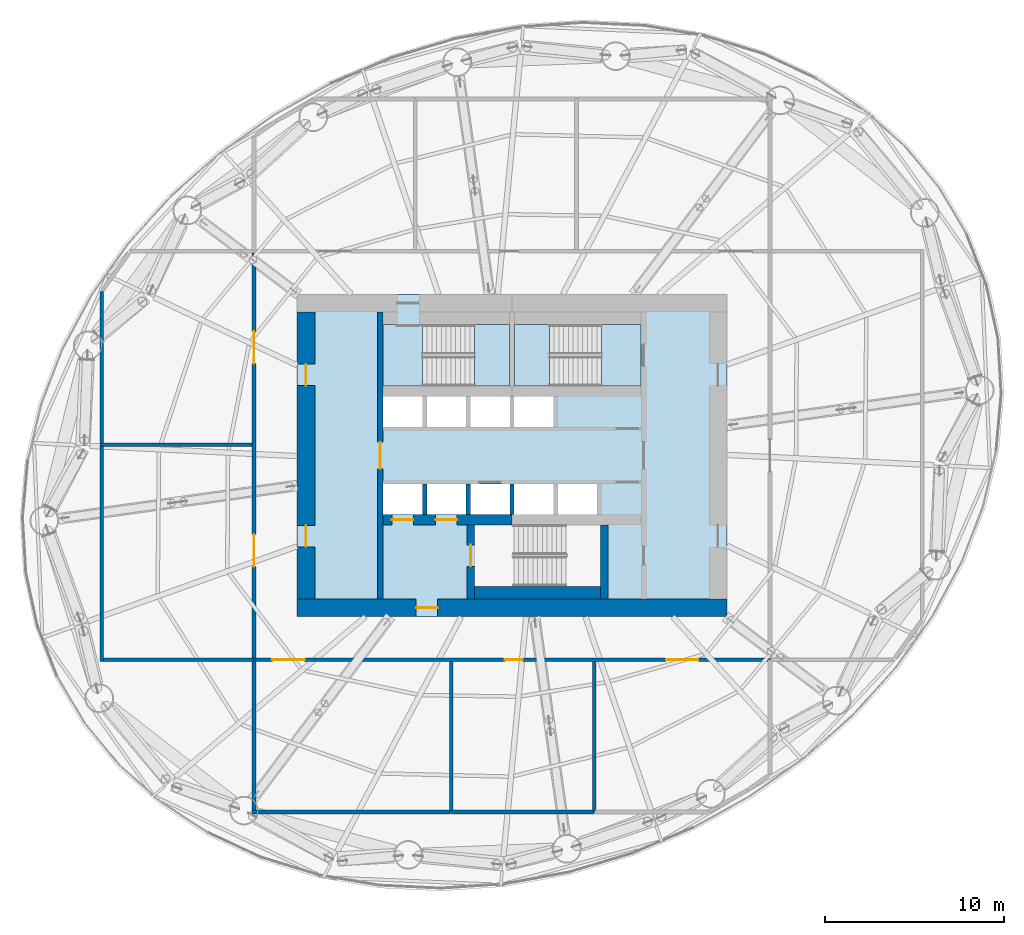
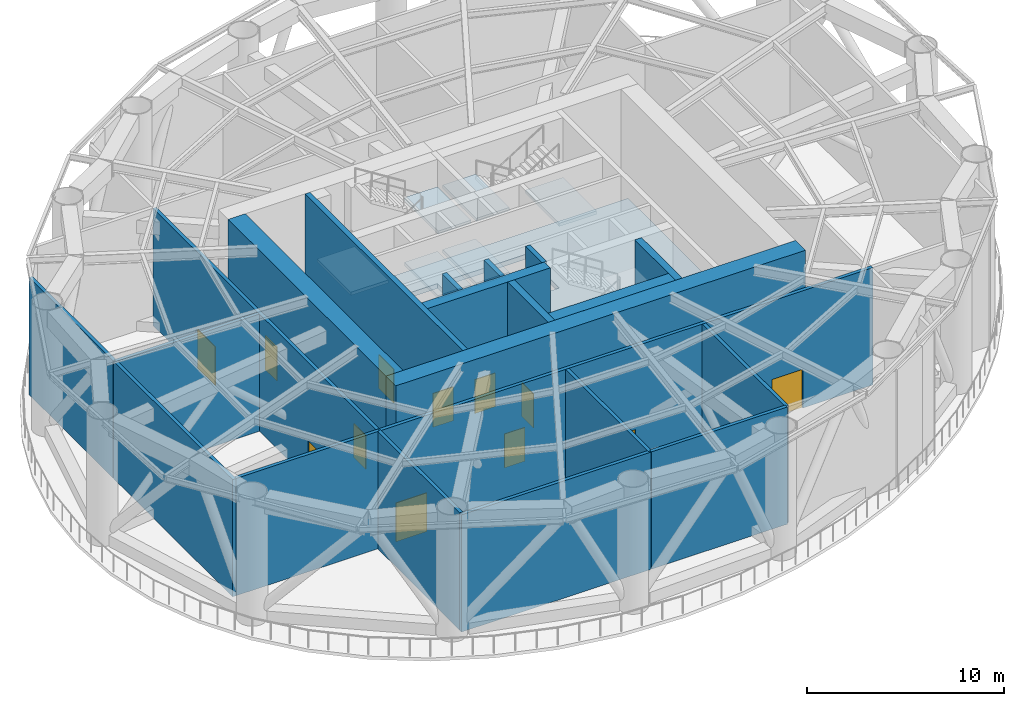
# One storey, part 5 of 15: 21 walls, 12 doors, 7 slabs, 12 openings, 2 elements without a shape of their own.
"""IFC4 building model written with IfcOpenShell, lengths in metres."""

from ifc_helpers import new_model, si_unit, direction, frame, frame_2d, origin, place, context, subcontext, project, spatial, polyline, rectangle, outline, extrude, material, layer, layer_set, type_object, element, fill, aggregate, save


model = new_model("IFC4")

# Units and contexts
model_context = context("Model", 3, precision=1e-05, world=origin(), true_north=direction((0.0, 1.0)))
body_context = subcontext(model_context, "Body", "Model", "MODEL_VIEW")
ifc_project = project(units=[si_unit("LENGTHUNIT", "METRE"), si_unit("AREAUNIT", "SQUARE_METRE"), si_unit("VOLUMEUNIT", "CUBIC_METRE"), si_unit("PLANEANGLEUNIT", "RADIAN"), si_unit("MASSUNIT", "GRAM", prefix="KILO")], contexts=[model_context])

# Site, building, storey
site_placement = place(None, origin())
site = spatial("IfcSite", under=ifc_project, at=site_placement, CompositionType="ELEMENT")
building_placement = place(site_placement, origin())
building = spatial("IfcBuilding", under=site, at=building_placement, Name="Vermilion Reach Broadcast Tower", CompositionType="ELEMENT")
storey_placement = place(building_placement, frame((0.0, 0.0, 135.39990234375)))
storey = spatial("IfcBuildingStorey", under=building, at=storey_placement, Name="L32", CompositionType="ELEMENT", Elevation=135.39990234375)

# Slab
ifc_material_1 = material(Name="Concrete C40", Category="concrete")
ifc_layer_1 = layer(ifc_material_1, 0.300048828125)
ifc_layer_set_1 = layer_set([ifc_layer_1], Name="Core floor slab 300 mm Concrete C40")
slab_type_1 = type_object("IfcSlabType", Name="Core floor slab 300 mm Concrete C40", PredefinedType="FLOOR", material=ifc_layer_set_1)
slab_1_placement = place(storey_placement, frame((0.0, 0.0, -0.2998046875)))
element("IfcSlab", 1, at=slab_1_placement, inside=storey, type_object=slab_type_1, Name="L32 core floor", PredefinedType="FLOOR", context=body_context, shape_type="SweptSolid", body=[
    extrude(outline(polyline([(-18.0, -9.0), (6.0, -9.0), (6.0, 9.0), (-18.0, 9.0), (-18.0, -9.0)]), holes=[polyline([(-13.199951171875, 1.60009765625), (-11.00830078125, 1.60009765625), (-11.00830078125, 3.280029296875), (-13.199951171875, 3.280029296875), (-13.199951171875, 1.60009765625)]), polyline([(-10.75830078125, 1.60009765625), (-8.566650390625, 1.60009765625), (-8.566650390625, 3.280029296875), (-10.75830078125, 3.280029296875), (-10.75830078125, 1.60009765625)]), polyline([(-8.316650390625, 1.60009765625), (-6.125, 1.60009765625), (-6.125, 3.280029296875), (-8.316650390625, 3.280029296875), (-8.316650390625, 1.60009765625)]), polyline([(-5.875, 1.60009765625), (-3.683349609375, 1.60009765625), (-3.683349609375, 3.280029296875), (-5.875, 3.280029296875), (-5.875, 1.60009765625)]), polyline([(-13.199951171875, -3.280029296875), (-11.00830078125, -3.280029296875), (-11.00830078125, -1.60009765625), (-13.199951171875, -1.60009765625), (-13.199951171875, -3.280029296875)]), polyline([(-10.75830078125, -3.280029296875), (-8.566650390625, -3.280029296875), (-8.566650390625, -1.60009765625), (-10.75830078125, -1.60009765625), (-10.75830078125, -3.280029296875)]), polyline([(-8.316650390625, -3.280029296875), (-6.125, -3.280029296875), (-6.125, -1.60009765625), (-8.316650390625, -1.60009765625), (-8.316650390625, -3.280029296875)]), polyline([(-5.875, -3.280029296875), (-3.683349609375, -3.280029296875), (-3.683349609375, -1.60009765625), (-5.875, -1.60009765625), (-5.875, -3.280029296875)]), polyline([(-3.433349609375, -3.280029296875), (-1.24169921875, -3.280029296875), (-1.24169921875, -1.60009765625), (-3.433349609375, -1.60009765625), (-3.433349609375, -3.280029296875)]), polyline([(-10.999267578125, 3.8798828125), (-6.14990234375, 3.8798828125), (-6.14990234375, 7.300048828125), (-10.999267578125, 7.300048828125), (-10.999267578125, 3.8798828125)]), polyline([(-1.000732421875, 7.300048828125), (-5.85009765625, 7.300048828125), (-5.85009765625, 3.8798828125), (-1.000732421875, 3.8798828125), (-1.000732421875, 7.300048828125)]), polyline([(-5.8994140625, -7.300048828125), (-1.050048828125, -7.300048828125), (-1.050048828125, -3.8798828125), (-5.8994140625, -3.8798828125), (-5.8994140625, -7.300048828125)])]), origin(), (0.0, 0.0, 1.0), 0.2998046875),
])

# Stair, slabs
ifc_material_2 = material(Name="Concrete C40", Category="concrete")
stair_type = type_object("IfcStairType", Name="Exit stair RC 48 risers 167 mm", PredefinedType="HALF_TURN_STAIR", material=ifc_material_2)
placement_1 = place(storey_placement, origin())
stair_1 = element("IfcStair", 2, at=placement_1, inside=storey, type_object=stair_type, Name="L32 Exit stair ST1", PredefinedType="HALF_TURN_STAIR")
ifc_material_3 = material(Name="Concrete C40", Category="concrete")
ifc_layer_2 = layer(ifc_material_3, 0.199951171875)
ifc_layer_set_2 = layer_set([ifc_layer_2], Name="Exit stair landing Concrete C40")
slab_type_2 = type_object("IfcSlabType", Name="Exit stair landing Concrete C40", PredefinedType="LANDING", material=ifc_layer_set_2)
placement_2 = place(storey_placement, frame((0.0, 0.0, 1.800048828125)))
slab_2 = element("IfcSlab", 3, at=placement_2, type_object=slab_type_2, Name="ST1 landing 1", PredefinedType="LANDING", context=body_context, shape_type="SweptSolid", body=[
    extrude(outline(polyline([(-8.0849609375, 3.8798828125), (-6.14990234375, 3.8798828125), (-6.14990234375, 7.300048828125), (-8.0849609375, 7.300048828125), (-8.0849609375, 3.8798828125)])), origin(), (0.0, 0.0, 1.0), 0.199951171875),
])
placement_3 = place(storey_placement, frame((0.0, 0.0, 3.800048828125)))
slab_3 = element("IfcSlab", 4, at=placement_3, type_object=slab_type_2, Name="ST1 landing 2", PredefinedType="LANDING", context=body_context, shape_type="SweptSolid", body=[
    extrude(outline(polyline([(-13.199951171875, 3.8798828125), (-11.0, 3.8798828125), (-11.0, 7.300048828125), (-13.199951171875, 7.300048828125), (-13.199951171875, 3.8798828125)])), origin(), (0.0, 0.0, 1.0), 0.199951171875),
])
placement_4 = place(storey_placement, frame((0.0, 0.0, 5.800048828125)))
slab_4 = element("IfcSlab", 5, at=placement_4, type_object=slab_type_2, Name="ST1 landing 3", PredefinedType="LANDING", context=body_context, shape_type="SweptSolid", body=[
    extrude(outline(polyline([(-8.0849609375, 3.8798828125), (-6.14990234375, 3.8798828125), (-6.14990234375, 7.300048828125), (-8.0849609375, 7.300048828125), (-8.0849609375, 3.8798828125)])), origin(), (0.0, 0.0, 1.0), 0.199951171875),
])
aggregate(stair_1, [slab_2, slab_3, slab_4])

stair_2 = element("IfcStair", 6, at=placement_1, inside=storey, type_object=stair_type, Name="L32 Exit stair ST2", PredefinedType="HALF_TURN_STAIR")
slab_5 = element("IfcSlab", 7, at=placement_2, type_object=slab_type_2, Name="ST2 landing 1", PredefinedType="LANDING", context=body_context, shape_type="SweptSolid", body=[
    extrude(outline(polyline([(-3.9150390625, 7.300048828125), (-5.85009765625, 7.300048828125), (-5.85009765625, 3.8798828125), (-3.9150390625, 3.8798828125), (-3.9150390625, 7.300048828125)])), origin(), (0.0, 0.0, 1.0), 0.199951171875),
])
slab_6 = element("IfcSlab", 8, at=placement_3, type_object=slab_type_2, Name="ST2 landing 2", PredefinedType="LANDING", context=body_context, shape_type="SweptSolid", body=[
    extrude(outline(polyline([(1.199951171875, 7.300048828125), (-1.0, 7.300048828125), (-1.0, 3.8798828125), (1.199951171875, 3.8798828125), (1.199951171875, 7.300048828125)])), origin(), (0.0, 0.0, 1.0), 0.199951171875),
])
slab_7 = element("IfcSlab", 9, at=placement_4, type_object=slab_type_2, Name="ST2 landing 3", PredefinedType="LANDING", context=body_context, shape_type="SweptSolid", body=[
    extrude(outline(polyline([(-3.9150390625, 7.300048828125), (-5.85009765625, 7.300048828125), (-5.85009765625, 3.8798828125), (-3.9150390625, 3.8798828125), (-3.9150390625, 7.300048828125)])), origin(), (0.0, 0.0, 1.0), 0.199951171875),
])
aggregate(stair_2, [slab_5, slab_6, slab_7])

# Wall, opening, door
ifc_material_4 = material(Name="Concrete C70", Category="concrete")
ifc_layer_3 = layer(ifc_material_4, 0.300048828125)
ifc_layer_set_3 = layer_set([ifc_layer_3], Name="Core inner wall 300 mm Concrete C70")
wall_type_1 = type_object("IfcWallType", Name="Core inner wall 300 mm Concrete C70", PredefinedType="SHEAR", material=ifc_layer_set_3)
wall_1_placement = place(storey_placement, frame((-13.35009765625, 8.0, 0.0), z_axis=(0.0, 0.0, 1.0), x_axis=(0.0, -1.0, 0.0)))
wall_1 = element("IfcWall", 10, at=wall_1_placement, inside=storey, type_object=wall_type_1, Name="L32 core wall ewW", PredefinedType="SHEAR", context=body_context, shape_type="SweptSolid", body=[
    extrude(rectangle(XDim=16.0, YDim=0.300048828125, at=frame_2d((8.0, 0.0))), origin(), (0.0, 0.0, 1.0), 7.7001953125),
])
opening_1_placement = place(wall_1_placement, frame((7.25, 0.0, 0.0)))
opening_1 = element("IfcOpeningElement", 11, at=opening_1_placement, cuts=wall_1, Name="Opening D04", PredefinedType="OPENING", context=body_context, shape_type="SweptSolid", body=[
    extrude(rectangle(XDim=1.5, YDim=2.10009765625, at=frame_2d((0.75, 1.050048828125))), frame((0.0, 0.159912109375, 0.0), z_axis=(0.0, -1.0, 0.0), x_axis=(1.0, 0.0, 0.0)), (0.0, 0.0, 1.0), 0.320068359375),
])
ifc_material_5 = material(Name="Painted steel fire door", Category="steel")
door_type_1 = type_object("IfcDoorType", Name="Lift lobby door 1500 x 2100", OperationType="DOUBLE_DOOR_SINGLE_SWING", PredefinedType="NOTDEFINED", material=ifc_material_5)
door_1_placement = place(opening_1_placement, origin())
door_1 = element("IfcDoor", 12, at=door_1_placement, inside=storey, type_object=door_type_1, Name="L32 band door BW", OperationType="DOUBLE_DOOR_SINGLE_SWING", OverallHeight=2.10009765625, OverallWidth=1.5, PredefinedType="NOTDEFINED", context=body_context, shape_type="SweptSolid", body=[
    extrude(rectangle(XDim=1.5, YDim=2.10009765625, at=frame_2d((0.75, 1.050048828125))), frame((0.0, 0.02490234375, 0.0), z_axis=(0.0, -1.0, 0.0), x_axis=(1.0, 0.0, 0.0)), (0.0, 0.0, 1.0), 0.050048828125),
])
fill(opening_1, door_1)

ifc_material_6 = material(Name="Concrete C70", Category="concrete")
ifc_layer_4 = layer(ifc_material_6, 0.39990234375)
ifc_layer_set_4 = layer_set([ifc_layer_4], Name="Core inner wall 400 mm Concrete C70")
wall_type_2 = type_object("IfcWallType", Name="Core inner wall 400 mm Concrete C70", PredefinedType="SHEAR", material=ifc_layer_set_4)
wall_2_placement = place(storey_placement, frame((-8.300048828125, -3.8798828125, 0.0), z_axis=(0.0, 0.0, 1.0), x_axis=(0.0, -1.0, 0.0)))
wall_2 = element("IfcWall", 13, at=wall_2_placement, inside=storey, type_object=wall_type_2, Name="L32 core wall wa", PredefinedType="SHEAR", context=body_context, shape_type="SweptSolid", body=[
    extrude(rectangle(XDim=4.1201171875, YDim=0.39990234375, at=frame_2d((2.06005859375, 0.0))), origin(), (0.0, 0.0, 1.0), 7.7001953125),
])
opening_2_placement = place(wall_2_placement, frame((1.110107421875, 0.0, 0.0)))
opening_2 = element("IfcOpeningElement", 14, at=opening_2_placement, cuts=wall_2, Name="Opening D01", PredefinedType="OPENING", context=body_context, shape_type="SweptSolid", body=[
    extrude(rectangle(XDim=1.199951171875, YDim=2.10009765625, at=frame_2d((0.60009765625, 1.050048828125))), frame((0.0, 0.2099609375, 0.0), z_axis=(0.0, -1.0, 0.0), x_axis=(1.0, 0.0, 0.0)), (0.0, 0.0, 1.0), 0.419921875),
])
ifc_material_7 = material(Name="Painted steel fire door", Category="steel")
door_type_2 = type_object("IfcDoorType", Name="Stair door 1200 x 2100", OperationType="DOUBLE_DOOR_SINGLE_SWING", PredefinedType="NOTDEFINED", material=ifc_material_7)
door_2_placement = place(opening_2_placement, origin())
door_2 = element("IfcDoor", 15, at=door_2_placement, inside=storey, type_object=door_type_2, Name="L32 stair door ST3", OperationType="DOUBLE_DOOR_SINGLE_SWING", OverallHeight=2.10009765625, OverallWidth=1.199951171875, PredefinedType="NOTDEFINED", context=body_context, shape_type="SweptSolid", body=[
    extrude(rectangle(XDim=1.199951171875, YDim=2.10009765625, at=frame_2d((0.60009765625, 1.050048828125))), frame((0.0, 0.02490234375, 0.0), z_axis=(0.0, -1.0, 0.0), x_axis=(1.0, 0.0, 0.0)), (0.0, 0.0, 1.0), 0.050048828125),
])
fill(opening_2, door_2)

# Wall
wall_3_placement = place(storey_placement, frame((-0.85009765625, -3.8798828125, 0.0), z_axis=(0.0, 0.0, 1.0), x_axis=(0.0, -1.0, 0.0)))
element("IfcWall", 16, at=wall_3_placement, inside=storey, type_object=wall_type_2, Name="L32 core wall wb", PredefinedType="SHEAR", context=body_context, shape_type="SweptSolid", body=[
    extrude(rectangle(XDim=4.1201171875, YDim=0.39990234375, at=frame_2d((2.06005859375, 0.0))), origin(), (0.0, 0.0, 1.0), 7.7001953125),
])

# Wall, openings, doors
ifc_material_8 = material(Name="Concrete C70", Category="concrete")
ifc_layer_5 = layer(ifc_material_8, 0.60009765625)
ifc_layer_set_5 = layer_set([ifc_layer_5], Name="Core inner wall 600 mm Concrete C70")
wall_type_3 = type_object("IfcWallType", Name="Core inner wall 600 mm Concrete C70", PredefinedType="SHEAR", material=ifc_layer_set_5)
wall_4_placement = place(storey_placement, frame((-13.199951171875, -3.580078125, 0.0), z_axis=(0.0, 0.0, 1.0), x_axis=(1.0, 0.0, 0.0)))
wall_4 = element("IfcWall", 17, at=wall_4_placement, inside=storey, type_object=wall_type_3, Name="L32 core wall wisW", PredefinedType="SHEAR", context=body_context, shape_type="SweptSolid", body=[
    extrude(rectangle(XDim=7.199951171875, YDim=0.60009765625, at=frame_2d((3.60009765625, 0.0))), origin(), (0.0, 0.0, 1.0), 7.7001953125),
])
opening_3_placement = place(wall_4_placement, frame((0.495849609375, 0.0, 0.0)))
opening_3 = element("IfcOpeningElement", 18, at=opening_3_placement, cuts=wall_4, Name="Opening LD1", PredefinedType="OPENING", context=body_context, shape_type="SweptSolid", body=[
    extrude(rectangle(XDim=1.199951171875, YDim=2.10009765625, at=frame_2d((0.60009765625, 1.050048828125))), frame((0.0, 0.31005859375, 0.0), z_axis=(0.0, -1.0, 0.0), x_axis=(1.0, 0.0, 0.0)), (0.0, 0.0, 1.0), 0.6201171875),
])
opening_4_placement = place(wall_4_placement, frame((2.9375, 0.0, 0.0)))
opening_4 = element("IfcOpeningElement", 19, at=opening_4_placement, cuts=wall_4, Name="Opening LD1", PredefinedType="OPENING", context=body_context, shape_type="SweptSolid", body=[
    extrude(rectangle(XDim=1.199951171875, YDim=2.10009765625, at=frame_2d((0.60009765625, 1.050048828125))), frame((0.0, 0.31005859375, 0.0), z_axis=(0.0, -1.0, 0.0), x_axis=(1.0, 0.0, 0.0)), (0.0, 0.0, 1.0), 0.6201171875),
])
ifc_material_9 = material(Name="Stainless steel", Category="steel")
door_type_3 = type_object("IfcDoorType", Name="Landing door 1200 x 2100", OperationType="DOUBLE_DOOR_SLIDING", PredefinedType="NOTDEFINED", material=ifc_material_9)
door_3_placement = place(opening_3_placement, origin())
door_3 = element("IfcDoor", 20, at=door_3_placement, inside=storey, type_object=door_type_3, Name="L32 landing door FF1", OperationType="DOUBLE_DOOR_SLIDING", OverallHeight=2.10009765625, OverallWidth=1.199951171875, PredefinedType="NOTDEFINED", context=body_context, shape_type="SweptSolid", body=[
    extrude(rectangle(XDim=1.199951171875, YDim=2.10009765625, at=frame_2d((0.60009765625, 1.050048828125))), frame((0.0, 0.02490234375, 0.0), z_axis=(0.0, -1.0, 0.0), x_axis=(1.0, 0.0, 0.0)), (0.0, 0.0, 1.0), 0.050048828125),
])
fill(opening_3, door_3)
door_4_placement = place(opening_4_placement, origin())
door_4 = element("IfcDoor", 21, at=door_4_placement, inside=storey, type_object=door_type_3, Name="L32 landing door FF2", OperationType="DOUBLE_DOOR_SLIDING", OverallHeight=2.10009765625, OverallWidth=1.199951171875, PredefinedType="NOTDEFINED", context=body_context, shape_type="SweptSolid", body=[
    extrude(rectangle(XDim=1.199951171875, YDim=2.10009765625, at=frame_2d((0.60009765625, 1.050048828125))), frame((0.0, 0.02490234375, 0.0), z_axis=(0.0, -1.0, 0.0), x_axis=(1.0, 0.0, 0.0)), (0.0, 0.0, 1.0), 0.050048828125),
])
fill(opening_4, door_4)

# Wall, opening, door
ifc_material_10 = material(Name="Concrete C70", Category="concrete")
ifc_layer_6 = layer(ifc_material_10, 1.0)
ifc_layer_set_6 = layer_set([ifc_layer_6], Name="Core outer wall 1000 mm Concrete C70")
wall_type_4 = type_object("IfcWallType", Name="Core outer wall 1000 mm Concrete C70", PredefinedType="SHEAR", material=ifc_layer_set_6)
wall_5_placement = place(storey_placement, frame((-18.0, -8.5, 0.0), z_axis=(0.0, 0.0, 1.0), x_axis=(1.0, 0.0, 0.0)))
wall_5 = element("IfcWall", 22, at=wall_5_placement, inside=storey, type_object=wall_type_4, Name="L32 core wall os", PredefinedType="SHEAR", context=body_context, shape_type="SweptSolid", body=[
    extrude(rectangle(XDim=24.0, YDim=1.0, at=frame_2d((12.0, 0.0))), origin(), (0.0, 0.0, 1.0), 7.7001953125),
])
opening_5_placement = place(wall_5_placement, frame((6.64990234375, 0.0, 0.0)))
opening_5 = element("IfcOpeningElement", 23, at=opening_5_placement, cuts=wall_5, Name="Opening D02", PredefinedType="OPENING", context=body_context, shape_type="SweptSolid", body=[
    extrude(rectangle(XDim=1.199951171875, YDim=2.10009765625, at=frame_2d((0.60009765625, 1.050048828125))), frame((0.0, 0.510009765625, 0.0), z_axis=(0.0, -1.0, 0.0), x_axis=(1.0, 0.0, 0.0)), (0.0, 0.0, 1.0), 1.02001953125),
])
ifc_material_11 = material(Name="Painted steel fire door", Category="steel")
door_type_4 = type_object("IfcDoorType", Name="Firefighting lobby door 1200 x 2100", OperationType="DOUBLE_DOOR_SINGLE_SWING", PredefinedType="NOTDEFINED", material=ifc_material_11)
door_5_placement = place(opening_5_placement, origin())
door_5 = element("IfcDoor", 24, at=door_5_placement, inside=storey, type_object=door_type_4, Name="L32 ffdoor door FFL", OperationType="DOUBLE_DOOR_SINGLE_SWING", OverallHeight=2.10009765625, OverallWidth=1.199951171875, PredefinedType="NOTDEFINED", context=body_context, shape_type="SweptSolid", body=[
    extrude(rectangle(XDim=1.199951171875, YDim=2.10009765625, at=frame_2d((0.60009765625, 1.050048828125))), frame((0.0, 0.02490234375, 0.0), z_axis=(0.0, -1.0, 0.0), x_axis=(1.0, 0.0, 0.0)), (0.0, 0.0, 1.0), 0.050048828125),
])
fill(opening_5, door_5)

# Wall, openings, doors
wall_6_placement = place(storey_placement, frame((-17.5, 8.0, 0.0), z_axis=(0.0, 0.0, 1.0), x_axis=(0.0, -1.0, 0.0)))
wall_6 = element("IfcWall", 25, at=wall_6_placement, inside=storey, type_object=wall_type_4, Name="L32 core wall ow", PredefinedType="SHEAR", context=body_context, shape_type="SweptSolid", body=[
    extrude(rectangle(XDim=16.0, YDim=1.0, at=frame_2d((8.0, 0.0))), origin(), (0.0, 0.0, 1.0), 7.7001953125),
])
opening_6_placement = place(wall_6_placement, frame((11.89990234375, 0.0, 0.0)))
opening_6 = element("IfcOpeningElement", 26, at=opening_6_placement, cuts=wall_6, Name="Opening D03", PredefinedType="OPENING", context=body_context, shape_type="SweptSolid", body=[
    extrude(rectangle(XDim=1.199951171875, YDim=2.10009765625, at=frame_2d((0.60009765625, 1.050048828125))), frame((0.0, 0.510009765625, 0.0), z_axis=(0.0, -1.0, 0.0), x_axis=(1.0, 0.0, 0.0)), (0.0, 0.0, 1.0), 1.02001953125),
])
opening_7_placement = place(wall_6_placement, frame((2.89990234375, 0.0, 0.0)))
opening_7 = element("IfcOpeningElement", 27, at=opening_7_placement, cuts=wall_6, Name="Opening D03", PredefinedType="OPENING", context=body_context, shape_type="SweptSolid", body=[
    extrude(rectangle(XDim=1.199951171875, YDim=2.10009765625, at=frame_2d((0.60009765625, 1.050048828125))), frame((0.0, 0.510009765625, 0.0), z_axis=(0.0, -1.0, 0.0), x_axis=(1.0, 0.0, 0.0)), (0.0, 0.0, 1.0), 1.02001953125),
])
ifc_material_12 = material(Name="Painted steel fire door", Category="steel")
door_type_5 = type_object("IfcDoorType", Name="Core lobby door 1200 x 2100", OperationType="DOUBLE_DOOR_SINGLE_SWING", PredefinedType="NOTDEFINED", material=ifc_material_12)
door_6_placement = place(opening_6_placement, origin())
door_6 = element("IfcDoor", 28, at=door_6_placement, inside=storey, type_object=door_type_5, Name="L32 slot door W0", OperationType="DOUBLE_DOOR_SINGLE_SWING", OverallHeight=2.10009765625, OverallWidth=1.199951171875, PredefinedType="NOTDEFINED", context=body_context, shape_type="SweptSolid", body=[
    extrude(rectangle(XDim=1.199951171875, YDim=2.10009765625, at=frame_2d((0.60009765625, 1.050048828125))), frame((0.0, 0.02490234375, 0.0), z_axis=(0.0, -1.0, 0.0), x_axis=(1.0, 0.0, 0.0)), (0.0, 0.0, 1.0), 0.050048828125),
])
fill(opening_6, door_6)
door_7_placement = place(opening_7_placement, origin())
door_7 = element("IfcDoor", 29, at=door_7_placement, inside=storey, type_object=door_type_5, Name="L32 slot door W1", OperationType="DOUBLE_DOOR_SINGLE_SWING", OverallHeight=2.10009765625, OverallWidth=1.199951171875, PredefinedType="NOTDEFINED", context=body_context, shape_type="SweptSolid", body=[
    extrude(rectangle(XDim=1.199951171875, YDim=2.10009765625, at=frame_2d((0.60009765625, 1.050048828125))), frame((0.0, 0.02490234375, 0.0), z_axis=(0.0, -1.0, 0.0), x_axis=(1.0, 0.0, 0.0)), (0.0, 0.0, 1.0), 0.050048828125),
])
fill(opening_7, door_7)

# Walls
ifc_material_13 = material(Name="Concrete C50", Category="concrete")
ifc_layer_7 = layer(ifc_material_13, 0.25)
ifc_layer_set_7 = layer_set([ifc_layer_7], Name="Core shaft wall 250 mm Concrete C50")
wall_type_5 = type_object("IfcWallType", Name="Core shaft wall 250 mm Concrete C50", PredefinedType="SHEAR", material=ifc_layer_set_7)
for number, where, z_axis, x_axis, name in (
    (30, (-10.88330078125, -1.60009765625, 0.0), (0.0, 0.0, 1.0), (0.0, -1.0, 0.0), "L32 core wall psS0"),
    (31, (-8.441650390625, -1.60009765625, 0.0), (0.0, 0.0, 1.0), (0.0, -1.0, 0.0), "L32 core wall psS1"),
    (32, (-6.0, -1.60009765625, 0.0), (0.0, 0.0, 1.0), (0.0, -1.0, 0.0), "L32 core wall psS2"),
):
    element("IfcWall", number, at=place(storey_placement, frame(where, z_axis=z_axis, x_axis=x_axis)), inside=storey, type_object=wall_type_5, Name=name, PredefinedType="SHEAR", context=body_context, shape_type="SweptSolid", body=[
        extrude(rectangle(XDim=1.679931640625, YDim=0.25, at=frame_2d((0.83984375, 0.0))), origin(), (0.0, 0.0, 1.0), 7.7001953125),
    ])
ifc_material_14 = material(Name="Concrete C70", Category="concrete")
ifc_layer_8 = layer(ifc_material_14, 0.699951171875)
ifc_layer_set_8 = layer_set([ifc_layer_8], Name="Core stair wall 700 mm Concrete C70")
wall_type_6 = type_object("IfcWallType", Name="Core stair wall 700 mm Concrete C70", PredefinedType="SHEAR", material=ifc_layer_set_8)
wall_7_placement = place(storey_placement, frame((-8.10009765625, -7.64990234375, 0.0), z_axis=(0.0, 0.0, 1.0), x_axis=(1.0, 0.0, 0.0)))
element("IfcWall", 33, at=wall_7_placement, inside=storey, type_object=wall_type_6, Name="L32 core wall l3", PredefinedType="SHEAR", context=body_context, shape_type="SweptSolid", body=[
    extrude(rectangle(XDim=7.050048828125, YDim=0.699951171875, at=frame_2d((3.52490234375, 0.0))), origin(), (0.0, 0.0, 1.0), 7.7001953125),
])
ifc_material_15 = material(Name="Gypsum board shaft wall")
ifc_layer_9 = layer(ifc_material_15, 0.199951171875)
ifc_layer_set_9 = layer_set([ifc_layer_9], Name="Plant room wall 200")
wall_type_7 = type_object("IfcWallType", Name="Plant room wall 200", PredefinedType="PARTITIONING", material=ifc_layer_set_9)
wall_8_placement = place(storey_placement, frame((-28.800048828125, -11.39990234375, 0.0), z_axis=(0.0, 0.0, 1.0), x_axis=(1.0, 0.0, 0.0)))
element("IfcWall", 34, at=wall_8_placement, inside=storey, type_object=wall_type_7, Name="sp.wall.L32.003", PredefinedType="PARTITIONING", context=body_context, shape_type="SweptSolid", body=[
    extrude(rectangle(XDim=8.380126953125, YDim=0.199951171875, at=frame_2d((4.18994140625, 0.0))), origin(), (0.0, 0.0, 1.0), 7.26220703125),
])

# Wall, openings, doors
wall_9_placement = place(storey_placement, frame((-20.5, -11.39990234375, 0.0), z_axis=(0.0, 0.0, 1.0), x_axis=(1.0, 0.0, 0.0)))
wall_9 = element("IfcWall", 35, at=wall_9_placement, inside=storey, type_object=wall_type_7, Name="sp.wall.L32.004", PredefinedType="PARTITIONING", context=body_context, shape_type="SweptSolid", body=[
    extrude(rectangle(XDim=29.0, YDim=0.199951171875, at=frame_2d((14.5, 0.0))), origin(), (0.0, 0.0, 1.0), 7.26220703125),
])
opening_8_placement = place(wall_9_placement, frame((1.122314453125, 0.0, 0.0)))
opening_8 = element("IfcOpeningElement", 36, at=opening_8_placement, cuts=wall_9, Name="Opening D53", PredefinedType="OPENING", context=body_context, shape_type="SweptSolid", body=[
    extrude(rectangle(XDim=1.800048828125, YDim=2.39990234375, at=frame_2d((0.89990234375, 1.199951171875))), frame((0.0, 0.10986328125, 0.0), z_axis=(0.0, -1.0, 0.0), x_axis=(1.0, 0.0, 0.0)), (0.0, 0.0, 1.0), 0.219970703125),
])
opening_9_placement = place(wall_9_placement, frame((14.099853515625, 0.0, 0.0)))
opening_9 = element("IfcOpeningElement", 37, at=opening_9_placement, cuts=wall_9, Name="Opening D54", PredefinedType="OPENING", context=body_context, shape_type="SweptSolid", body=[
    extrude(rectangle(XDim=1.0, YDim=2.10009765625, at=frame_2d((0.5, 1.050048828125))), frame((0.0, 0.10986328125, 0.0), z_axis=(0.0, -1.0, 0.0), x_axis=(1.0, 0.0, 0.0)), (0.0, 0.0, 1.0), 0.219970703125),
])
opening_10_placement = place(wall_9_placement, frame((23.099853515625, 0.0, 0.0)))
opening_10 = element("IfcOpeningElement", 38, at=opening_10_placement, cuts=wall_9, Name="Opening D53", PredefinedType="OPENING", context=body_context, shape_type="SweptSolid", body=[
    extrude(rectangle(XDim=1.800048828125, YDim=2.39990234375, at=frame_2d((0.89990234375, 1.199951171875))), frame((0.0, 0.10986328125, 0.0), z_axis=(0.0, -1.0, 0.0), x_axis=(1.0, 0.0, 0.0)), (0.0, 0.0, 1.0), 0.219970703125),
])
ifc_material_16 = material(Name="Timber and steel door set", Category="steel")
door_type_6 = type_object("IfcDoorType", Name="Fire door 1000x2100", OperationType="NOTDEFINED", PredefinedType="DOOR", material=ifc_material_16)
door_8_placement = place(opening_9_placement, origin())
door_8 = element("IfcDoor", 39, at=door_8_placement, inside=storey, type_object=door_type_6, Name="sp.door.L32.004", OperationType="SINGLE_SWING_LEFT", OverallHeight=2.10009765625, OverallWidth=1.0, PredefinedType="DOOR", context=body_context, shape_type="SweptSolid", body=[
    extrude(rectangle(XDim=1.0, YDim=2.10009765625, at=frame_2d((0.5, 1.050048828125))), frame((0.0, 0.02490234375, 0.0), z_axis=(0.0, -1.0, 0.0), x_axis=(1.0, 0.0, 0.0)), (0.0, 0.0, 1.0), 0.050048828125),
])
fill(opening_9, door_8)
ifc_material_17 = material(Name="Timber and steel door set", Category="steel")
door_type_7 = type_object("IfcDoorType", Name="Plant double door 1800x2400", OperationType="NOTDEFINED", PredefinedType="DOOR", material=ifc_material_17)
door_9_placement = place(opening_8_placement, origin())
door_9 = element("IfcDoor", 40, at=door_9_placement, inside=storey, type_object=door_type_7, Name="sp.door.L32.003", OperationType="DOUBLE_DOOR_SINGLE_SWING", OverallHeight=2.39990234375, OverallWidth=1.800048828125, PredefinedType="DOOR", context=body_context, shape_type="SweptSolid", body=[
    extrude(rectangle(XDim=1.800048828125, YDim=2.39990234375, at=frame_2d((0.89990234375, 1.199951171875))), frame((0.0, 0.02490234375, 0.0), z_axis=(0.0, -1.0, 0.0), x_axis=(1.0, 0.0, 0.0)), (0.0, 0.0, 1.0), 0.050048828125),
])
fill(opening_8, door_9)
door_10_placement = place(opening_10_placement, origin())
door_10 = element("IfcDoor", 41, at=door_10_placement, inside=storey, type_object=door_type_7, Name="sp.door.L32.005", OperationType="DOUBLE_DOOR_SINGLE_SWING", OverallHeight=2.39990234375, OverallWidth=1.800048828125, PredefinedType="DOOR", context=body_context, shape_type="SweptSolid", body=[
    extrude(rectangle(XDim=1.800048828125, YDim=2.39990234375, at=frame_2d((0.89990234375, 1.199951171875))), frame((0.0, 0.02490234375, 0.0), z_axis=(0.0, -1.0, 0.0), x_axis=(1.0, 0.0, 0.0)), (0.0, 0.0, 1.0), 0.050048828125),
])
fill(opening_10, door_10)

# Wall
wall_10_placement = place(storey_placement, frame((-20.39990234375, -19.800048828125, 0.0), z_axis=(0.0, 0.0, 1.0), x_axis=(0.0, 1.0, 0.0)))
element("IfcWall", 42, at=wall_10_placement, inside=storey, type_object=wall_type_7, Name="sp.wall.L32.009", PredefinedType="PARTITIONING", context=body_context, shape_type="SweptSolid", body=[
    extrude(rectangle(XDim=8.380126953125, YDim=0.199951171875, at=frame_2d((4.18994140625, 0.0))), origin(), (0.0, 0.0, 1.0), 7.26220703125),
])

# Wall, openings, doors
wall_11_placement = place(storey_placement, frame((-20.39990234375, 11.300048828125, 0.0), z_axis=(0.0, 0.0, 1.0), x_axis=(0.0, -1.0, 0.0)))
wall_11 = element("IfcWall", 43, at=wall_11_placement, inside=storey, type_object=wall_type_7, Name="sp.wall.L32.010", PredefinedType="PARTITIONING", context=body_context, shape_type="SweptSolid", body=[
    extrude(rectangle(XDim=22.60009765625, YDim=0.199951171875, at=frame_2d((11.300048828125, 0.0))), origin(), (0.0, 0.0, 1.0), 7.26220703125),
])
opening_11_placement = place(wall_11_placement, frame((15.699951171875, 0.0, 0.0)))
opening_11 = element("IfcOpeningElement", 44, at=opening_11_placement, cuts=wall_11, Name="Opening D53", PredefinedType="OPENING", context=body_context, shape_type="SweptSolid", body=[
    extrude(rectangle(XDim=1.800048828125, YDim=2.39990234375, at=frame_2d((0.89990234375, 1.199951171875))), frame((0.0, 0.10986328125, 0.0), z_axis=(0.0, -1.0, 0.0), x_axis=(1.0, 0.0, 0.0)), (0.0, 0.0, 1.0), 0.219970703125),
])
opening_12_placement = place(wall_11_placement, frame((4.374267578125, 0.0, 0.0)))
opening_12 = element("IfcOpeningElement", 45, at=opening_12_placement, cuts=wall_11, Name="Opening D53", PredefinedType="OPENING", context=body_context, shape_type="SweptSolid", body=[
    extrude(rectangle(XDim=1.800048828125, YDim=2.39990234375, at=frame_2d((0.89990234375, 1.199951171875))), frame((0.0, 0.10986328125, 0.0), z_axis=(0.0, -1.0, 0.0), x_axis=(1.0, 0.0, 0.0)), (0.0, 0.0, 1.0), 0.219970703125),
])
door_11_placement = place(opening_11_placement, origin())
door_11 = element("IfcDoor", 46, at=door_11_placement, inside=storey, type_object=door_type_7, Name="sp.door.L32.007", OperationType="DOUBLE_DOOR_SINGLE_SWING", OverallHeight=2.39990234375, OverallWidth=1.800048828125, PredefinedType="DOOR", context=body_context, shape_type="SweptSolid", body=[
    extrude(rectangle(XDim=1.800048828125, YDim=2.39990234375, at=frame_2d((0.89990234375, 1.199951171875))), frame((0.0, 0.02490234375, 0.0), z_axis=(0.0, -1.0, 0.0), x_axis=(1.0, 0.0, 0.0)), (0.0, 0.0, 1.0), 0.050048828125),
])
fill(opening_11, door_11)
door_12_placement = place(opening_12_placement, origin())
door_12 = element("IfcDoor", 47, at=door_12_placement, inside=storey, type_object=door_type_7, Name="sp.door.L32.008", OperationType="DOUBLE_DOOR_SINGLE_SWING", OverallHeight=2.39990234375, OverallWidth=1.800048828125, PredefinedType="DOOR", context=body_context, shape_type="SweptSolid", body=[
    extrude(rectangle(XDim=1.800048828125, YDim=2.39990234375, at=frame_2d((0.89990234375, 1.199951171875))), frame((0.0, 0.02490234375, 0.0), z_axis=(0.0, -1.0, 0.0), x_axis=(1.0, 0.0, 0.0)), (0.0, 0.0, 1.0), 0.050048828125),
])
fill(opening_12, door_12)

# Walls
for number, where, z_axis, x_axis, name in (
    (48, (-9.39990234375, -19.89990234375, 0.0), (0.0, 0.0, 1.0), (0.0, 1.0, 0.0), "sp.wall.L32.014"),
    (49, (-1.39990234375, -19.89990234375, 0.0), (0.0, 0.0, 1.0), (0.0, 1.0, 0.0), "sp.wall.L32.015"),
    (50, (-28.89990234375, 0.60009765625, 0.0), (0.0, 0.0, 1.0), (1.0, 0.0, 0.0), "sp.wall.L32.016"),
):
    element("IfcWall", number, at=place(storey_placement, frame(where, z_axis=z_axis, x_axis=x_axis)), inside=storey, type_object=wall_type_7, Name=name, PredefinedType="PARTITIONING", context=body_context, shape_type="SweptSolid", body=[
        extrude(rectangle(XDim=8.39990234375, YDim=0.199951171875, at=frame_2d((4.199951171875, 0.0))), origin(), (0.0, 0.0, 1.0), 7.26220703125),
    ])
wall_12_placement = place(storey_placement, frame((-20.5, -19.89990234375, 0.0), z_axis=(0.0, 0.0, 1.0), x_axis=(1.0, 0.0, 0.0)))
element("IfcWall", 51, at=wall_12_placement, inside=storey, type_object=wall_type_7, Name="sp.wall.L32.022", PredefinedType="PARTITIONING", context=body_context, shape_type="SweptSolid", body=[
    extrude(rectangle(XDim=11.080078125, YDim=0.199951171875, at=frame_2d((5.5400390625, 0.0))), origin(), (0.0, 0.0, 1.0), 7.26220703125),
])
wall_13_placement = place(storey_placement, frame((-9.3798828125, -19.89990234375, 0.0), z_axis=(0.0, 0.0, 1.0), x_axis=(1.0, 0.0, 0.0)))
element("IfcWall", 52, at=wall_13_placement, inside=storey, type_object=wall_type_7, Name="sp.wall.L32.023", PredefinedType="PARTITIONING", context=body_context, shape_type="SweptSolid", body=[
    extrude(rectangle(XDim=7.9599609375, YDim=0.199951171875, at=frame_2d((3.97998046875, 0.0))), origin(), (0.0, 0.0, 1.0), 7.26220703125),
])
wall_14_placement = place(storey_placement, frame((-28.89990234375, -11.5, 0.0), z_axis=(0.0, 0.0, 1.0), x_axis=(0.0, 1.0, 0.0)))
element("IfcWall", 53, at=wall_14_placement, inside=storey, type_object=wall_type_7, Name="sp.wall.L32.029", PredefinedType="PARTITIONING", context=body_context, shape_type="SweptSolid", body=[
    extrude(rectangle(XDim=12.080078125, YDim=0.199951171875, at=frame_2d((6.0400390625, 0.0))), origin(), (0.0, 0.0, 1.0), 7.26220703125),
])
wall_15_placement = place(storey_placement, frame((-28.89990234375, 0.6201171875, 0.0), z_axis=(0.0, 0.0, 1.0), x_axis=(0.0, 1.0, 0.0)))
element("IfcWall", 54, at=wall_15_placement, inside=storey, type_object=wall_type_7, Name="sp.wall.L32.030", PredefinedType="PARTITIONING", context=body_context, shape_type="SweptSolid", body=[
    extrude(rectangle(XDim=8.53515625, YDim=0.199951171875, at=frame_2d((4.267578125, 0.0))), origin(), (0.0, 0.0, 1.0), 7.26220703125),
])

save(model, "model.ifc")
